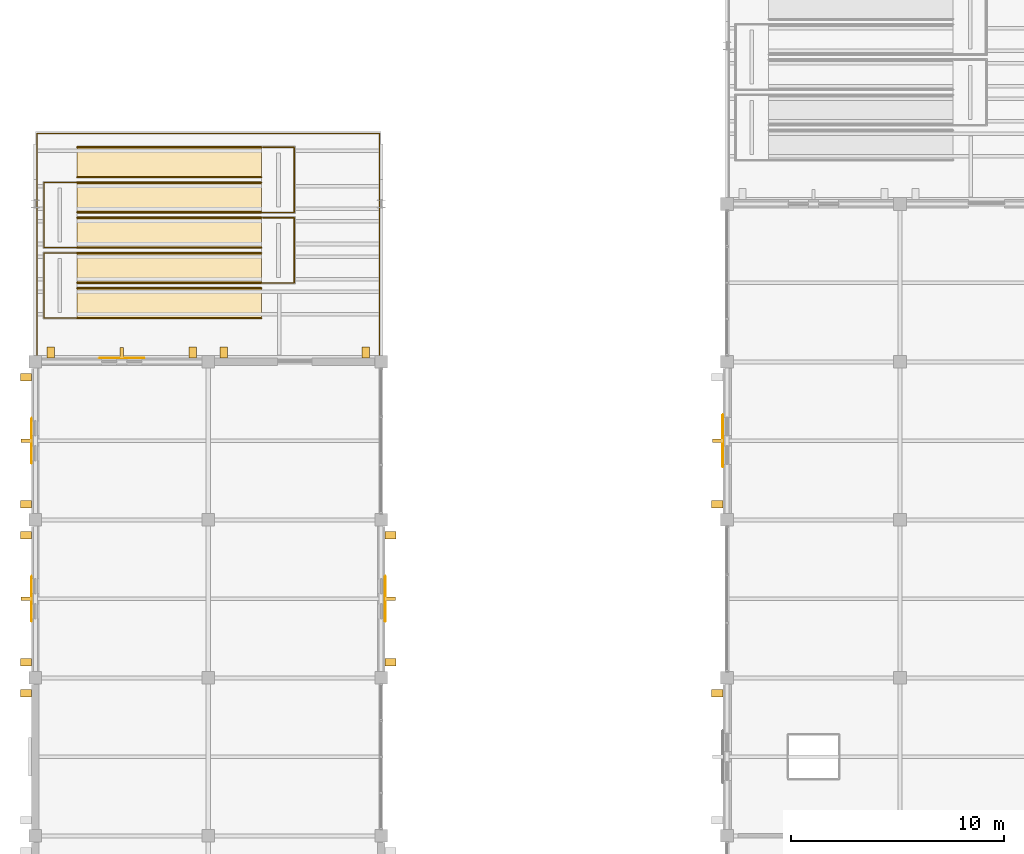
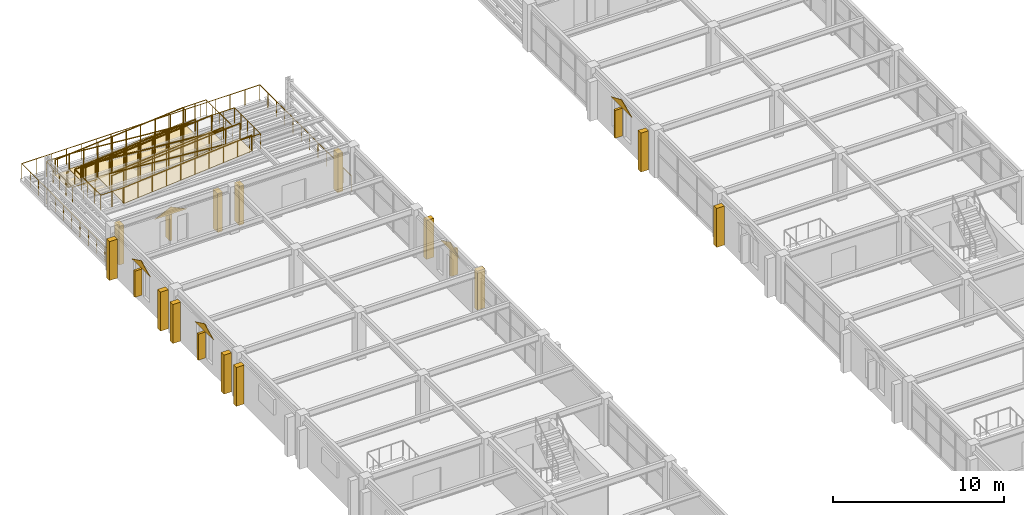
# One storey, part 116 of 121: 18 shading devices, 15 railings, 10 coverings.
"""IFC4 building model written with IfcOpenShell, lengths in metres."""

from ifc_helpers import new_model, si_unit, direction, frame, origin, origin_2d, place, context, subcontext, project, spatial, polyline, rectangle, circle, outline, extrude, material, layer, layer_set, type_object, element, save


model = new_model("IFC4")

# Units and contexts
model_context = context("Model", 3, precision=1e-05, world=origin(), true_north=direction((0.0, 1.0)))
body_context = subcontext(model_context, "Body", "Model", "MODEL_VIEW")
ifc_project = project(units=[si_unit("LENGTHUNIT", "METRE"), si_unit("AREAUNIT", "SQUARE_METRE"), si_unit("VOLUMEUNIT", "CUBIC_METRE"), si_unit("PLANEANGLEUNIT", "RADIAN"), si_unit("MASSUNIT", "GRAM", prefix="KILO")], contexts=[model_context])

# Site, building, storey
site_placement = place(None, origin())
site = spatial("IfcSite", under=ifc_project, at=site_placement, CompositionType="ELEMENT")
building_placement = place(site_placement, origin())
building = spatial("IfcBuilding", under=site, at=building_placement, Name="Cimatlan Art Gallery", CompositionType="ELEMENT")
storey_placement = place(building_placement, frame((0.0, 0.0, 10.199951171875)))
storey = spatial("IfcBuildingStorey", under=building, at=storey_placement, Name="L02", CompositionType="ELEMENT", Elevation=10.199951171875)

# Coverings
ifc_material_1 = material(Name="Queretaro cantera limestone ashlar hood-mould", Category="masonry")
ifc_layer = layer(ifc_material_1, 0.0419921875)
ifc_layer_set = layer_set([ifc_layer], Name="Queretaro cantera limestone ashlar hood-mould")
covering_type = type_object("IfcCoveringType", Name="COV-CLAD-CANTERA-42", PredefinedType="CLADDING", material=ifc_layer_set)
covering_1_placement = place(storey_placement, frame((1.839599609375, 70.919921875, 2.489990234375), z_axis=(1.0, 0.0, 0.0), x_axis=(0.0, 1.0, 0.0)))
element("IfcCovering", 1, at=covering_1_placement, inside=storey, type_object=covering_type, Name="CLD-041", PredefinedType="CLADDING", context=body_context, shape_type="SweptSolid", body=[
    extrude(outline(polyline([(0.0, 0.0), (2.16015625, 0.0), (1.080078125, 0.52001953125), (0.0, 0.0)])), origin(), (0.0, 0.0, -1.0), 0.0419921875),
])
covering_2_placement = place(storey_placement, frame((4.969970703125, 83.260498046875, 2.489990234375), z_axis=(0.0, -1.0, 0.0), x_axis=(1.0, 0.0, 0.0)))
element("IfcCovering", 2, at=covering_2_placement, inside=storey, type_object=covering_type, Name="CLD-042", PredefinedType="CLADDING", context=body_context, shape_type="SweptSolid", body=[
    extrude(outline(polyline([(0.0, 0.0), (2.159912109375, 0.0), (1.080078125, 0.52001953125), (0.0, 0.0)])), origin(), (0.0, 0.0, -1.0), 0.0419921875),
])
covering_3_placement = place(storey_placement, frame((1.839599609375, 78.320068359375, 2.489990234375), z_axis=(1.0, 0.0, 0.0), x_axis=(0.0, 1.0, 0.0)))
element("IfcCovering", 3, at=covering_3_placement, inside=storey, type_object=covering_type, Name="CLD-043", PredefinedType="CLADDING", context=body_context, shape_type="SweptSolid", body=[
    extrude(outline(polyline([(0.0, 0.0), (2.159912109375, 0.0), (1.079833984375, 0.52001953125), (0.0, 0.0)])), origin(), (0.0, 0.0, -1.0), 0.0419921875),
])
covering_4_placement = place(storey_placement, frame((18.360595703125, 73.080078125, 2.489990234375), z_axis=(-1.0, 0.0, 0.0), x_axis=(0.0, -1.0, 0.0)))
element("IfcCovering", 4, at=covering_4_placement, inside=storey, type_object=covering_type, Name="CLD-045", PredefinedType="CLADDING", context=body_context, shape_type="SweptSolid", body=[
    extrude(outline(polyline([(0.0, 0.0), (2.16015625, 0.0), (1.080078125, 0.52001953125), (0.0, 0.0)])), origin(), (0.0, 0.0, -1.0), 0.0419921875),
])
covering_5_placement = place(storey_placement, frame((34.221923828125, 78.159912109375, 2.6201171875), z_axis=(1.0, 0.0, 0.0), x_axis=(0.0, 1.0, 0.0)))
element("IfcCovering", 5, at=covering_5_placement, inside=storey, type_object=covering_type, Name="CLD-051", PredefinedType="CLADDING", context=body_context, shape_type="SweptSolid", body=[
    extrude(outline(polyline([(0.0, 0.0), (2.47998046875, 0.0), (1.239990234375, 0.52001953125), (0.0, 0.0)])), origin(), (0.0, 0.0, -1.0), 0.0419921875),
])
for number, where, z_axis, x_axis, name in (
    (6, (3.949951171875, 91.699951171875, 0.0), (-0.083040819057, 0.0, 0.996546146634), (0.996546146634, 0.0, 0.083040819057), "COV-RMP-TER-B1-FL1"),
    (7, (3.949951171875, 90.050048828125, 1.43994140625), (0.083040819057, 0.0, 0.996546146634), (0.996546146634, 0.0, -0.083040819057), "COV-RMP-TER-B1-FL2"),
):
    element("IfcCovering", number, at=place(storey_placement, frame(where, z_axis=z_axis, x_axis=x_axis)), inside=storey, type_object=covering_type, Name=name, PredefinedType="CLADDING", context=body_context, shape_type="SweptSolid", body=[
        extrude(outline(polyline([(0.0, 0.0), (8.670081910342619, 0.0), (8.670081910342619, 1.5), (0.0, 1.5), (0.0, 0.0)])), origin(), (0.0, 0.0, -1.0), 0.02490234375),
    ])
covering_6_placement = place(storey_placement, frame((3.949951171875, 88.39990234375, 1.43994140625), z_axis=(-0.083068783756, 0.0, 0.996543815979), x_axis=(0.996543815979, 0.0, 0.083068783756)))
element("IfcCovering", 8, at=covering_6_placement, inside=storey, type_object=covering_type, Name="COV-RMP-TER-B1-FL3", PredefinedType="CLADDING", context=body_context, shape_type="SweptSolid", body=[
    extrude(outline(polyline([(0.0, 0.0), (8.670102187393748, 0.0), (8.670102187393748, 1.5), (0.0, 1.5), (0.0, 0.0)])), origin(), (0.0, 0.0, -1.0), 0.02490234375),
])
for number, where, z_axis, x_axis, name in (
    (9, (3.949951171875, 86.75, 2.880126953125), (0.083040819057, 0.0, 0.996546146634), (0.996546146634, 0.0, -0.083040819057), "COV-RMP-TER-B1-FL4"),
    (10, (3.949951171875, 85.10009765625, 2.880126953125), (-0.083040819057, 0.0, 0.996546146634), (0.996546146634, 0.0, 0.083040819057), "COV-RMP-TER-B1-FL5"),
):
    element("IfcCovering", number, at=place(storey_placement, frame(where, z_axis=z_axis, x_axis=x_axis)), inside=storey, type_object=covering_type, Name=name, PredefinedType="CLADDING", context=body_context, shape_type="SweptSolid", body=[
        extrude(outline(polyline([(0.0, 0.0), (8.670081910342619, 0.0), (8.670081910342619, 1.5), (0.0, 1.5), (0.0, 0.0)])), origin(), (0.0, 0.0, -1.0), 0.02490234375),
    ])

# Railings
ifc_material_2 = material(Name="Anodised bronze and laminated glass balustrade", Category="glass")
railing_type = type_object("IfcRailingType", Name="RL-BAL-EXT-1100", PredefinedType="BALUSTRADE", material=ifc_material_2)
for number, where, name in (
    (11, (3.949951171875, 91.75, 0.0), "RMP-TER-B1-GR-F1S"),
    (12, (3.949951171875, 93.14990234375, 0.0), "RMP-TER-B1-GR-F1N"),
):
    element("IfcRailing", number, at=place(storey_placement, frame(where)), inside=storey, type_object=railing_type, Name=name, PredefinedType="BALUSTRADE", context=body_context, shape_type="SweptSolid", body=[
        extrude(circle(Radius=0.02587890625, at=origin_2d()), frame((0.0, 0.0, 1.09423828125), z_axis=(0.996546146634, 0.0, 0.083040819057), x_axis=(0.0, 1.0, 0.0)), (0.0, 0.0, 1.0), 8.670166015625),
        extrude(circle(Radius=0.02099609375, at=origin_2d()), origin(), (0.0, 0.0, 1.0), 1.068115234375),
        extrude(circle(Radius=0.02099609375, at=origin_2d()), frame((0.9599609375, 0.0, 0.080078125)), (0.0, 0.0, 1.0), 1.068115234375),
        extrude(circle(Radius=0.02099609375, at=origin_2d()), frame((1.919921875, 0.0, 0.159912109375)), (0.0, 0.0, 1.0), 1.068115234375),
        extrude(circle(Radius=0.02099609375, at=origin_2d()), frame((2.880126953125, 0.0, 0.239990234375)), (0.0, 0.0, 1.0), 1.068115234375),
        extrude(circle(Radius=0.02099609375, at=origin_2d()), frame((3.840087890625, 0.0, 0.320068359375)), (0.0, 0.0, 1.0), 1.068115234375),
        extrude(circle(Radius=0.02099609375, at=origin_2d()), frame((4.800048828125, 0.0, 0.39990234375)), (0.0, 0.0, 1.0), 1.068115234375),
        extrude(circle(Radius=0.02099609375, at=origin_2d()), frame((5.760009765625, 0.0, 0.47998046875)), (0.0, 0.0, 1.0), 1.068115234375),
        extrude(circle(Radius=0.02099609375, at=origin_2d()), frame((6.72021484375, 0.0, 0.56005859375)), (0.0, 0.0, 1.0), 1.068115234375),
        extrude(circle(Radius=0.02099609375, at=origin_2d()), frame((7.68017578125, 0.0, 0.639892578125)), (0.0, 0.0, 1.0), 1.068115234375),
        extrude(circle(Radius=0.02099609375, at=origin_2d()), frame((8.64013671875, 0.0, 0.719970703125)), (0.0, 0.0, 1.0), 1.068115234375),
    ])
railing_1_placement = place(storey_placement, frame((12.6298828125, 93.14990234375, 0.719970703125)))
element("IfcRailing", 13, at=railing_1_placement, inside=storey, type_object=railing_type, Name="RMP-TER-B1-GR-L1", PredefinedType="BALUSTRADE", context=body_context, shape_type="SweptSolid", body=[
    extrude(circle(Radius=0.02587890625, at=origin_2d()), frame((0.0, 0.0, 1.09423828125), z_axis=(1.0, 0.0, 0.0), x_axis=(0.0, 1.0, 0.0)), (0.0, 0.0, 1.0), 1.5),
    extrude(circle(Radius=0.02587890625, at=origin_2d()), frame((1.5, 0.0, 1.09423828125), z_axis=(0.0, -1.0, 0.0), x_axis=(1.0, 0.0, 0.0)), (0.0, 0.0, 1.0), 3.0498046875),
    extrude(circle(Radius=0.02587890625, at=origin_2d()), frame((1.5, -3.0498046875, 1.09423828125), z_axis=(-1.0, 0.0, 0.0), x_axis=(0.0, -1.0, 0.0)), (0.0, 0.0, 1.0), 1.5),
    extrude(circle(Radius=0.02099609375, at=origin_2d()), origin(), (0.0, 0.0, 1.0), 1.068115234375),
    extrude(circle(Radius=0.02099609375, at=origin_2d()), frame((0.75, 0.0, 0.0)), (0.0, 0.0, 1.0), 1.068115234375),
    extrude(circle(Radius=0.02099609375, at=origin_2d()), frame((1.5, 0.0, 0.0)), (0.0, 0.0, 1.0), 1.068115234375),
    extrude(circle(Radius=0.02099609375, at=origin_2d()), frame((1.5, -0.762451171875, 0.0)), (0.0, 0.0, 1.0), 1.068115234375),
    extrude(circle(Radius=0.02099609375, at=origin_2d()), frame((1.5, -1.52490234375, 0.0)), (0.0, 0.0, 1.0), 1.068115234375),
    extrude(circle(Radius=0.02099609375, at=origin_2d()), frame((1.5, -2.287353515625, 0.0)), (0.0, 0.0, 1.0), 1.068115234375),
    extrude(circle(Radius=0.02099609375, at=origin_2d()), frame((1.5, -3.0498046875, 0.0)), (0.0, 0.0, 1.0), 1.068115234375),
    extrude(circle(Radius=0.02099609375, at=origin_2d()), frame((0.75, -3.0498046875, 0.0)), (0.0, 0.0, 1.0), 1.068115234375),
    extrude(circle(Radius=0.02099609375, at=origin_2d()), frame((0.0, -3.0498046875, 0.0)), (0.0, 0.0, 1.0), 1.068115234375),
])
for number, where, name in (
    (14, (12.590087890625, 90.10009765625, 0.719970703125), "RMP-TER-B1-GR-F2S"),
    (15, (12.590087890625, 91.5, 0.719970703125), "RMP-TER-B1-GR-F2N"),
):
    element("IfcRailing", number, at=place(storey_placement, frame(where)), inside=storey, type_object=railing_type, Name=name, PredefinedType="BALUSTRADE", context=body_context, shape_type="SweptSolid", body=[
        extrude(circle(Radius=0.02587890625, at=origin_2d()), frame((0.0, 0.0, 1.09423828125), z_axis=(-0.996546146634, 0.0, 0.083040819057), x_axis=(0.0, -1.0, 0.0)), (0.0, 0.0, 1.0), 8.670166015625),
        extrude(circle(Radius=0.02099609375, at=origin_2d()), origin(), (0.0, 0.0, 1.0), 1.068115234375),
        extrude(circle(Radius=0.02099609375, at=origin_2d()), frame((-0.9599609375, 0.0, 0.080078125)), (0.0, 0.0, 1.0), 1.068115234375),
        extrude(circle(Radius=0.02099609375, at=origin_2d()), frame((-1.919921875, 0.0, 0.159912109375)), (0.0, 0.0, 1.0), 1.068115234375),
        extrude(circle(Radius=0.02099609375, at=origin_2d()), frame((-2.880126953125, 0.0, 0.239990234375)), (0.0, 0.0, 1.0), 1.068115234375),
        extrude(circle(Radius=0.02099609375, at=origin_2d()), frame((-3.840087890625, 0.0, 0.320068359375)), (0.0, 0.0, 1.0), 1.068115234375),
        extrude(circle(Radius=0.02099609375, at=origin_2d()), frame((-4.800048828125, 0.0, 0.39990234375)), (0.0, 0.0, 1.0), 1.068115234375),
        extrude(circle(Radius=0.02099609375, at=origin_2d()), frame((-5.760009765625, 0.0, 0.47998046875)), (0.0, 0.0, 1.0), 1.068115234375),
        extrude(circle(Radius=0.02099609375, at=origin_2d()), frame((-6.72021484375, 0.0, 0.56005859375)), (0.0, 0.0, 1.0), 1.068115234375),
        extrude(circle(Radius=0.02099609375, at=origin_2d()), frame((-7.68017578125, 0.0, 0.639892578125)), (0.0, 0.0, 1.0), 1.068115234375),
        extrude(circle(Radius=0.02099609375, at=origin_2d()), frame((-8.64013671875, 0.0, 0.719970703125)), (0.0, 0.0, 1.0), 1.068115234375),
    ])
railing_2_placement = place(storey_placement, frame((3.909912109375, 91.5, 1.43994140625)))
element("IfcRailing", 16, at=railing_2_placement, inside=storey, type_object=railing_type, Name="RMP-TER-B1-GR-L2", PredefinedType="BALUSTRADE", context=body_context, shape_type="SweptSolid", body=[
    extrude(circle(Radius=0.02587890625, at=origin_2d()), frame((0.0, 0.0, 1.09423828125), z_axis=(-1.0, 0.0, 0.0), x_axis=(0.0, -1.0, 0.0)), (0.0, 0.0, 1.0), 1.5),
    extrude(circle(Radius=0.02587890625, at=origin_2d()), frame((-1.5, 0.0, 1.09423828125), z_axis=(0.0, -1.0, 0.0), x_axis=(1.0, 0.0, 0.0)), (0.0, 0.0, 1.0), 3.050048828125),
    extrude(circle(Radius=0.02587890625, at=origin_2d()), frame((-1.5, -3.050048828125, 1.09423828125), z_axis=(1.0, 0.0, 0.0), x_axis=(0.0, 1.0, 0.0)), (0.0, 0.0, 1.0), 1.5),
    extrude(circle(Radius=0.02099609375, at=origin_2d()), origin(), (0.0, 0.0, 1.0), 1.068115234375),
    extrude(circle(Radius=0.02099609375, at=origin_2d()), frame((-0.75, 0.0, 0.0)), (0.0, 0.0, 1.0), 1.068115234375),
    extrude(circle(Radius=0.02099609375, at=origin_2d()), frame((-1.5, 0.0, 0.0)), (0.0, 0.0, 1.0), 1.068115234375),
    extrude(circle(Radius=0.02099609375, at=origin_2d()), frame((-1.5, -0.762451171875, 0.0)), (0.0, 0.0, 1.0), 1.068115234375),
    extrude(circle(Radius=0.02099609375, at=origin_2d()), frame((-1.5, -1.52490234375, 0.0)), (0.0, 0.0, 1.0), 1.068115234375),
    extrude(circle(Radius=0.02099609375, at=origin_2d()), frame((-1.5, -2.28759765625, 0.0)), (0.0, 0.0, 1.0), 1.068115234375),
    extrude(circle(Radius=0.02099609375, at=origin_2d()), frame((-1.5, -3.050048828125, 0.0)), (0.0, 0.0, 1.0), 1.068115234375),
    extrude(circle(Radius=0.02099609375, at=origin_2d()), frame((-0.75, -3.050048828125, 0.0)), (0.0, 0.0, 1.0), 1.068115234375),
    extrude(circle(Radius=0.02099609375, at=origin_2d()), frame((0.0, -3.050048828125, 0.0)), (0.0, 0.0, 1.0), 1.068115234375),
])
for number, where, name in (
    (17, (3.949951171875, 88.449951171875, 1.43994140625), "RMP-TER-B1-GR-F3S"),
    (18, (3.949951171875, 89.85009765625, 1.43994140625), "RMP-TER-B1-GR-F3N"),
):
    element("IfcRailing", number, at=place(storey_placement, frame(where)), inside=storey, type_object=railing_type, Name=name, PredefinedType="BALUSTRADE", context=body_context, shape_type="SweptSolid", body=[
        extrude(circle(Radius=0.02587890625, at=origin_2d()), frame((0.0, 0.0, 1.09423828125), z_axis=(0.996543815979, 0.0, 0.083068783756), x_axis=(0.0, 1.0, 0.0)), (0.0, 0.0, 1.0), 8.670166015625),
        extrude(circle(Radius=0.02099609375, at=origin_2d()), origin(), (0.0, 0.0, 1.0), 1.068115234375),
        extrude(circle(Radius=0.02099609375, at=origin_2d()), frame((0.9599609375, 0.0, 0.080078125)), (0.0, 0.0, 1.0), 1.068115234375),
        extrude(circle(Radius=0.02099609375, at=origin_2d()), frame((1.919921875, 0.0, 0.16015625)), (0.0, 0.0, 1.0), 1.068115234375),
        extrude(circle(Radius=0.02099609375, at=origin_2d()), frame((2.880126953125, 0.0, 0.239990234375)), (0.0, 0.0, 1.0), 1.068115234375),
        extrude(circle(Radius=0.02099609375, at=origin_2d()), frame((3.840087890625, 0.0, 0.320068359375)), (0.0, 0.0, 1.0), 1.068115234375),
        extrude(circle(Radius=0.02099609375, at=origin_2d()), frame((4.800048828125, 0.0, 0.400146484375)), (0.0, 0.0, 1.0), 1.068115234375),
        extrude(circle(Radius=0.02099609375, at=origin_2d()), frame((5.760009765625, 0.0, 0.480224609375)), (0.0, 0.0, 1.0), 1.068115234375),
        extrude(circle(Radius=0.02099609375, at=origin_2d()), frame((6.72021484375, 0.0, 0.56005859375)), (0.0, 0.0, 1.0), 1.068115234375),
        extrude(circle(Radius=0.02099609375, at=origin_2d()), frame((7.68017578125, 0.0, 0.64013671875)), (0.0, 0.0, 1.0), 1.068115234375),
        extrude(circle(Radius=0.02099609375, at=origin_2d()), frame((8.64013671875, 0.0, 0.72021484375)), (0.0, 0.0, 1.0), 1.068115234375),
    ])
railing_3_placement = place(storey_placement, frame((12.6298828125, 89.85009765625, 2.16015625)))
element("IfcRailing", 19, at=railing_3_placement, inside=storey, type_object=railing_type, Name="RMP-TER-B1-GR-L3", PredefinedType="BALUSTRADE", context=body_context, shape_type="SweptSolid", body=[
    extrude(circle(Radius=0.02587890625, at=origin_2d()), frame((0.0, 0.0, 1.09423828125), z_axis=(1.0, 0.0, 0.0), x_axis=(0.0, 1.0, 0.0)), (0.0, 0.0, 1.0), 1.5),
    extrude(circle(Radius=0.02587890625, at=origin_2d()), frame((1.5, 0.0, 1.09423828125), z_axis=(0.0, -1.0, 0.0), x_axis=(1.0, 0.0, 0.0)), (0.0, 0.0, 1.0), 3.050048828125),
    extrude(circle(Radius=0.02587890625, at=origin_2d()), frame((1.5, -3.050048828125, 1.09423828125), z_axis=(-1.0, 0.0, 0.0), x_axis=(0.0, -1.0, 0.0)), (0.0, 0.0, 1.0), 1.5),
    extrude(circle(Radius=0.02099609375, at=origin_2d()), origin(), (0.0, 0.0, 1.0), 1.068115234375),
    extrude(circle(Radius=0.02099609375, at=origin_2d()), frame((0.75, 0.0, 0.0)), (0.0, 0.0, 1.0), 1.068115234375),
    extrude(circle(Radius=0.02099609375, at=origin_2d()), frame((1.5, 0.0, 0.0)), (0.0, 0.0, 1.0), 1.068115234375),
    extrude(circle(Radius=0.02099609375, at=origin_2d()), frame((1.5, -0.762451171875, 0.0)), (0.0, 0.0, 1.0), 1.068115234375),
    extrude(circle(Radius=0.02099609375, at=origin_2d()), frame((1.5, -1.52490234375, 0.0)), (0.0, 0.0, 1.0), 1.068115234375),
    extrude(circle(Radius=0.02099609375, at=origin_2d()), frame((1.5, -2.28759765625, 0.0)), (0.0, 0.0, 1.0), 1.068115234375),
    extrude(circle(Radius=0.02099609375, at=origin_2d()), frame((1.5, -3.050048828125, 0.0)), (0.0, 0.0, 1.0), 1.068115234375),
    extrude(circle(Radius=0.02099609375, at=origin_2d()), frame((0.75, -3.050048828125, 0.0)), (0.0, 0.0, 1.0), 1.068115234375),
    extrude(circle(Radius=0.02099609375, at=origin_2d()), frame((0.0, -3.050048828125, 0.0)), (0.0, 0.0, 1.0), 1.068115234375),
])
for number, where, name in (
    (20, (12.590087890625, 86.800048828125, 2.16015625), "RMP-TER-B1-GR-F4S"),
    (21, (12.590087890625, 88.199951171875, 2.16015625), "RMP-TER-B1-GR-F4N"),
):
    element("IfcRailing", number, at=place(storey_placement, frame(where)), inside=storey, type_object=railing_type, Name=name, PredefinedType="BALUSTRADE", context=body_context, shape_type="SweptSolid", body=[
        extrude(circle(Radius=0.02587890625, at=origin_2d()), frame((0.0, 0.0, 1.09423828125), z_axis=(-0.996546146634, 0.0, 0.083040819057), x_axis=(0.0, -1.0, 0.0)), (0.0, 0.0, 1.0), 8.670166015625),
        extrude(circle(Radius=0.02099609375, at=origin_2d()), origin(), (0.0, 0.0, 1.0), 1.068115234375),
        extrude(circle(Radius=0.02099609375, at=origin_2d()), frame((-0.9599609375, 0.0, 0.080078125)), (0.0, 0.0, 1.0), 1.068115234375),
        extrude(circle(Radius=0.02099609375, at=origin_2d()), frame((-1.919921875, 0.0, 0.159912109375)), (0.0, 0.0, 1.0), 1.068115234375),
        extrude(circle(Radius=0.02099609375, at=origin_2d()), frame((-2.880126953125, 0.0, 0.239990234375)), (0.0, 0.0, 1.0), 1.068115234375),
        extrude(circle(Radius=0.02099609375, at=origin_2d()), frame((-3.840087890625, 0.0, 0.320068359375)), (0.0, 0.0, 1.0), 1.068115234375),
        extrude(circle(Radius=0.02099609375, at=origin_2d()), frame((-4.800048828125, 0.0, 0.39990234375)), (0.0, 0.0, 1.0), 1.068115234375),
        extrude(circle(Radius=0.02099609375, at=origin_2d()), frame((-5.760009765625, 0.0, 0.47998046875)), (0.0, 0.0, 1.0), 1.068115234375),
        extrude(circle(Radius=0.02099609375, at=origin_2d()), frame((-6.72021484375, 0.0, 0.56005859375)), (0.0, 0.0, 1.0), 1.068115234375),
        extrude(circle(Radius=0.02099609375, at=origin_2d()), frame((-7.68017578125, 0.0, 0.639892578125)), (0.0, 0.0, 1.0), 1.068115234375),
        extrude(circle(Radius=0.02099609375, at=origin_2d()), frame((-8.64013671875, 0.0, 0.719970703125)), (0.0, 0.0, 1.0), 1.068115234375),
    ])
railing_4_placement = place(storey_placement, frame((3.909912109375, 88.199951171875, 2.880126953125)))
element("IfcRailing", 22, at=railing_4_placement, inside=storey, type_object=railing_type, Name="RMP-TER-B1-GR-L4", PredefinedType="BALUSTRADE", context=body_context, shape_type="SweptSolid", body=[
    extrude(circle(Radius=0.02587890625, at=origin_2d()), frame((0.0, 0.0, 1.09423828125), z_axis=(-1.0, 0.0, 0.0), x_axis=(0.0, -1.0, 0.0)), (0.0, 0.0, 1.0), 1.5),
    extrude(circle(Radius=0.02587890625, at=origin_2d()), frame((-1.5, 0.0, 1.09423828125), z_axis=(0.0, -1.0, 0.0), x_axis=(1.0, 0.0, 0.0)), (0.0, 0.0, 1.0), 3.050048828125),
    extrude(circle(Radius=0.02587890625, at=origin_2d()), frame((-1.5, -3.050048828125, 1.09423828125), z_axis=(1.0, 0.0, 0.0), x_axis=(0.0, 1.0, 0.0)), (0.0, 0.0, 1.0), 1.5),
    extrude(circle(Radius=0.02099609375, at=origin_2d()), origin(), (0.0, 0.0, 1.0), 1.068115234375),
    extrude(circle(Radius=0.02099609375, at=origin_2d()), frame((-0.75, 0.0, 0.0)), (0.0, 0.0, 1.0), 1.068115234375),
    extrude(circle(Radius=0.02099609375, at=origin_2d()), frame((-1.5, 0.0, 0.0)), (0.0, 0.0, 1.0), 1.068115234375),
    extrude(circle(Radius=0.02099609375, at=origin_2d()), frame((-1.5, -0.762451171875, 0.0)), (0.0, 0.0, 1.0), 1.068115234375),
    extrude(circle(Radius=0.02099609375, at=origin_2d()), frame((-1.5, -1.52490234375, 0.0)), (0.0, 0.0, 1.0), 1.068115234375),
    extrude(circle(Radius=0.02099609375, at=origin_2d()), frame((-1.5, -2.28759765625, 0.0)), (0.0, 0.0, 1.0), 1.068115234375),
    extrude(circle(Radius=0.02099609375, at=origin_2d()), frame((-1.5, -3.050048828125, 0.0)), (0.0, 0.0, 1.0), 1.068115234375),
    extrude(circle(Radius=0.02099609375, at=origin_2d()), frame((-0.75, -3.050048828125, 0.0)), (0.0, 0.0, 1.0), 1.068115234375),
    extrude(circle(Radius=0.02099609375, at=origin_2d()), frame((0.0, -3.050048828125, 0.0)), (0.0, 0.0, 1.0), 1.068115234375),
])
for number, where, name in (
    (23, (3.949951171875, 85.14990234375, 2.880126953125), "RMP-TER-B1-GR-F5S"),
    (24, (3.949951171875, 86.550048828125, 2.880126953125), "RMP-TER-B1-GR-F5N"),
):
    element("IfcRailing", number, at=place(storey_placement, frame(where)), inside=storey, type_object=railing_type, Name=name, PredefinedType="BALUSTRADE", context=body_context, shape_type="SweptSolid", body=[
        extrude(circle(Radius=0.02587890625, at=origin_2d()), frame((0.0, 0.0, 1.09423828125), z_axis=(0.996546146634, 0.0, 0.083040819057), x_axis=(0.0, 1.0, 0.0)), (0.0, 0.0, 1.0), 8.670166015625),
        extrude(circle(Radius=0.02099609375, at=origin_2d()), origin(), (0.0, 0.0, 1.0), 1.068115234375),
        extrude(circle(Radius=0.02099609375, at=origin_2d()), frame((0.9599609375, 0.0, 0.080078125)), (0.0, 0.0, 1.0), 1.068115234375),
        extrude(circle(Radius=0.02099609375, at=origin_2d()), frame((1.919921875, 0.0, 0.159912109375)), (0.0, 0.0, 1.0), 1.068115234375),
        extrude(circle(Radius=0.02099609375, at=origin_2d()), frame((2.880126953125, 0.0, 0.239990234375)), (0.0, 0.0, 1.0), 1.068115234375),
        extrude(circle(Radius=0.02099609375, at=origin_2d()), frame((3.840087890625, 0.0, 0.320068359375)), (0.0, 0.0, 1.0), 1.068115234375),
        extrude(circle(Radius=0.02099609375, at=origin_2d()), frame((4.800048828125, 0.0, 0.39990234375)), (0.0, 0.0, 1.0), 1.068115234375),
        extrude(circle(Radius=0.02099609375, at=origin_2d()), frame((5.760009765625, 0.0, 0.47998046875)), (0.0, 0.0, 1.0), 1.068115234375),
        extrude(circle(Radius=0.02099609375, at=origin_2d()), frame((6.72021484375, 0.0, 0.56005859375)), (0.0, 0.0, 1.0), 1.068115234375),
        extrude(circle(Radius=0.02099609375, at=origin_2d()), frame((7.68017578125, 0.0, 0.639892578125)), (0.0, 0.0, 1.0), 1.068115234375),
        extrude(circle(Radius=0.02099609375, at=origin_2d()), frame((8.64013671875, 0.0, 0.719970703125)), (0.0, 0.0, 1.0), 1.068115234375),
    ])
railing_5_placement = place(storey_placement, frame((2.080078125, 83.1201171875, 0.0)))
element("IfcRailing", 25, at=railing_5_placement, inside=storey, type_object=railing_type, Name="GR-TER-01", PredefinedType="BALUSTRADE", context=body_context, shape_type="SweptSolid", body=[
    extrude(circle(Radius=0.02587890625, at=origin_2d()), frame((0.0, 0.0, 1.09423828125), z_axis=(0.0, 1.0, 0.0), x_axis=(-1.0, 0.0, 0.0)), (0.0, 0.0, 1.0), 10.681884765625),
    extrude(circle(Radius=0.02587890625, at=origin_2d()), frame((0.0, 10.681884765625, 1.09423828125), z_axis=(1.0, 0.0, 0.0), x_axis=(0.0, 1.0, 0.0)), (0.0, 0.0, 1.0), 16.0400390625),
    extrude(circle(Radius=0.02587890625, at=origin_2d()), frame((16.0400390625, 10.681884765625, 1.09423828125), z_axis=(0.0, -1.0, 0.0), x_axis=(1.0, 0.0, 0.0)), (0.0, 0.0, 1.0), 10.681884765625),
    extrude(circle(Radius=0.02099609375, at=origin_2d()), origin(), (0.0, 0.0, 1.0), 1.068115234375),
    extrude(circle(Radius=0.02099609375, at=origin_2d()), frame((0.0, 0.97119140625, 0.0)), (0.0, 0.0, 1.0), 1.068115234375),
    extrude(circle(Radius=0.02099609375, at=origin_2d()), frame((0.0, 1.942138671875, 0.0)), (0.0, 0.0, 1.0), 1.068115234375),
    extrude(circle(Radius=0.02099609375, at=origin_2d()), frame((0.0, 2.913330078125, 0.0)), (0.0, 0.0, 1.0), 1.068115234375),
    extrude(circle(Radius=0.02099609375, at=origin_2d()), frame((0.0, 3.88427734375, 0.0)), (0.0, 0.0, 1.0), 1.068115234375),
    extrude(circle(Radius=0.02099609375, at=origin_2d()), frame((0.0, 4.85546875, 0.0)), (0.0, 0.0, 1.0), 1.068115234375),
    extrude(circle(Radius=0.02099609375, at=origin_2d()), frame((0.0, 5.826416015625, 0.0)), (0.0, 0.0, 1.0), 1.068115234375),
    extrude(circle(Radius=0.02099609375, at=origin_2d()), frame((0.0, 6.797607421875, 0.0)), (0.0, 0.0, 1.0), 1.068115234375),
    extrude(circle(Radius=0.02099609375, at=origin_2d()), frame((0.0, 7.7685546875, 0.0)), (0.0, 0.0, 1.0), 1.068115234375),
    extrude(circle(Radius=0.02099609375, at=origin_2d()), frame((0.0, 8.73974609375, 0.0)), (0.0, 0.0, 1.0), 1.068115234375),
    extrude(circle(Radius=0.02099609375, at=origin_2d()), frame((0.0, 9.710693359375, 0.0)), (0.0, 0.0, 1.0), 1.068115234375),
    extrude(circle(Radius=0.02099609375, at=origin_2d()), frame((0.0, 10.681884765625, 0.0)), (0.0, 0.0, 1.0), 1.068115234375),
    extrude(circle(Radius=0.02099609375, at=origin_2d()), frame((1.00244140625, 10.681884765625, 0.0)), (0.0, 0.0, 1.0), 1.068115234375),
    extrude(circle(Radius=0.02099609375, at=origin_2d()), frame((2.0048828125, 10.681884765625, 0.0)), (0.0, 0.0, 1.0), 1.068115234375),
    extrude(circle(Radius=0.02099609375, at=origin_2d()), frame((3.007568359375, 10.681884765625, 0.0)), (0.0, 0.0, 1.0), 1.068115234375),
    extrude(circle(Radius=0.02099609375, at=origin_2d()), frame((4.010009765625, 10.681884765625, 0.0)), (0.0, 0.0, 1.0), 1.068115234375),
    extrude(circle(Radius=0.02099609375, at=origin_2d()), frame((5.012451171875, 10.681884765625, 0.0)), (0.0, 0.0, 1.0), 1.068115234375),
    extrude(circle(Radius=0.02099609375, at=origin_2d()), frame((6.01513671875, 10.681884765625, 0.0)), (0.0, 0.0, 1.0), 1.068115234375),
    extrude(circle(Radius=0.02099609375, at=origin_2d()), frame((7.017578125, 10.681884765625, 0.0)), (0.0, 0.0, 1.0), 1.068115234375),
    extrude(circle(Radius=0.02099609375, at=origin_2d()), frame((8.02001953125, 10.681884765625, 0.0)), (0.0, 0.0, 1.0), 1.068115234375),
    extrude(circle(Radius=0.02099609375, at=origin_2d()), frame((9.0224609375, 10.681884765625, 0.0)), (0.0, 0.0, 1.0), 1.068115234375),
    extrude(circle(Radius=0.02099609375, at=origin_2d()), frame((10.02490234375, 10.681884765625, 0.0)), (0.0, 0.0, 1.0), 1.068115234375),
    extrude(circle(Radius=0.02099609375, at=origin_2d()), frame((11.027587890625, 10.681884765625, 0.0)), (0.0, 0.0, 1.0), 1.068115234375),
    extrude(circle(Radius=0.02099609375, at=origin_2d()), frame((12.030029296875, 10.681884765625, 0.0)), (0.0, 0.0, 1.0), 1.068115234375),
    extrude(circle(Radius=0.02099609375, at=origin_2d()), frame((13.032470703125, 10.681884765625, 0.0)), (0.0, 0.0, 1.0), 1.068115234375),
    extrude(circle(Radius=0.02099609375, at=origin_2d()), frame((14.03515625, 10.681884765625, 0.0)), (0.0, 0.0, 1.0), 1.068115234375),
    extrude(circle(Radius=0.02099609375, at=origin_2d()), frame((15.03759765625, 10.681884765625, 0.0)), (0.0, 0.0, 1.0), 1.068115234375),
    extrude(circle(Radius=0.02099609375, at=origin_2d()), frame((16.0400390625, 10.681884765625, 0.0)), (0.0, 0.0, 1.0), 1.068115234375),
    extrude(circle(Radius=0.02099609375, at=origin_2d()), frame((16.0400390625, 9.710693359375, 0.0)), (0.0, 0.0, 1.0), 1.068115234375),
    extrude(circle(Radius=0.02099609375, at=origin_2d()), frame((16.0400390625, 8.73974609375, 0.0)), (0.0, 0.0, 1.0), 1.068115234375),
    extrude(circle(Radius=0.02099609375, at=origin_2d()), frame((16.0400390625, 7.7685546875, 0.0)), (0.0, 0.0, 1.0), 1.068115234375),
    extrude(circle(Radius=0.02099609375, at=origin_2d()), frame((16.0400390625, 6.797607421875, 0.0)), (0.0, 0.0, 1.0), 1.068115234375),
    extrude(circle(Radius=0.02099609375, at=origin_2d()), frame((16.0400390625, 5.826416015625, 0.0)), (0.0, 0.0, 1.0), 1.068115234375),
    extrude(circle(Radius=0.02099609375, at=origin_2d()), frame((16.0400390625, 4.85546875, 0.0)), (0.0, 0.0, 1.0), 1.068115234375),
    extrude(circle(Radius=0.02099609375, at=origin_2d()), frame((16.0400390625, 3.88427734375, 0.0)), (0.0, 0.0, 1.0), 1.068115234375),
    extrude(circle(Radius=0.02099609375, at=origin_2d()), frame((16.0400390625, 2.913330078125, 0.0)), (0.0, 0.0, 1.0), 1.068115234375),
    extrude(circle(Radius=0.02099609375, at=origin_2d()), frame((16.0400390625, 1.942138671875, 0.0)), (0.0, 0.0, 1.0), 1.068115234375),
    extrude(circle(Radius=0.02099609375, at=origin_2d()), frame((16.0400390625, 0.97119140625, 0.0)), (0.0, 0.0, 1.0), 1.068115234375),
    extrude(circle(Radius=0.02099609375, at=origin_2d()), frame((16.0400390625, 0.0, 0.0)), (0.0, 0.0, 1.0), 1.068115234375),
])

# Shading devices
ifc_material_3 = material(Name="Queretaro cantera limestone buttress pilaster", Category="masonry")
shading_device_type_1 = type_object("IfcShadingDeviceType", Name="SHD-BUT-520", PredefinedType="USERDEFINED", material=ifc_material_3)
for number, where, z_axis, x_axis, name in (
    (26, (1.5595703125, 67.575927734375, 0.06005859375), (0.0, 0.0, 1.0), (0.0, 1.0, 0.0), "BUT-0228"),
    (27, (1.5595703125, 69.02392578125, 0.06005859375), (0.0, 0.0, 1.0), (0.0, 1.0, 0.0), "BUT-0229"),
    (28, (1.5595703125, 74.97607421875, 0.06005859375), (0.0, 0.0, 1.0), (0.0, 1.0, 0.0), "BUT-0230"),
    (29, (2.72412109375, 83.54052734375, 0.06005859375), (0.0, 0.0, 1.0), (1.0, 0.0, 0.0), "BUT-0231"),
    (30, (9.3759765625, 83.54052734375, 0.06005859375), (0.0, 0.0, 1.0), (1.0, 0.0, 0.0), "BUT-0232"),
    (31, (1.5595703125, 76.424072265625, 0.06005859375), (0.0, 0.0, 1.0), (0.0, 1.0, 0.0), "BUT-0233"),
    (32, (1.5595703125, 82.3759765625, 0.06005859375), (0.0, 0.0, 1.0), (0.0, 1.0, 0.0), "BUT-0234"),
    (33, (18.640380859375, 74.97607421875, 0.06005859375), (0.0, 0.0, 1.0), (0.0, -1.0, 0.0), "BUT-0245"),
    (34, (18.640380859375, 69.02392578125, 0.06005859375), (0.0, 0.0, 1.0), (0.0, -1.0, 0.0), "BUT-0246"),
    (35, (10.823974609375, 83.54052734375, 0.06005859375), (0.0, 0.0, 1.0), (1.0, 0.0, 0.0), "BUT-0247"),
    (36, (17.47607421875, 83.54052734375, 0.06005859375), (0.0, 0.0, 1.0), (1.0, 0.0, 0.0), "BUT-0248"),
    (37, (33.94189453125, 67.575927734375, 0.06005859375), (0.0, 0.0, 1.0), (0.0, 1.0, 0.0), "BUT-0258"),
    (38, (33.94189453125, 76.424072265625, 0.06005859375), (0.0, 0.0, 1.0), (0.0, 1.0, 0.0), "BUT-0259"),
):
    element("IfcShadingDevice", number, at=place(storey_placement, frame(where, z_axis=z_axis, x_axis=x_axis)), inside=storey, type_object=shading_device_type_1, Name=name, ObjectType="FIN", PredefinedType="USERDEFINED", context=body_context, shape_type="SweptSolid", body=[
        extrude(rectangle(XDim=0.340087890625, YDim=0.52001953125, at=origin_2d()), origin(), (0.0, 0.0, 1.0), 2.778076171875),
    ])
ifc_material_4 = material(Name="Queretaro cantera limestone lancet mullion fin", Category="masonry")
shading_device_type_2 = type_object("IfcShadingDeviceType", Name="SHD-FIN-480", PredefinedType="USERDEFINED", material=ifc_material_4)
for number, where, z_axis, x_axis, name in (
    (39, (1.57958984375, 72.0, 0.60009765625), (0.0, 0.0, 1.0), (0.0, 1.0, 0.0), "FIN-063"),
    (40, (6.050048828125, 83.5205078125, 0.60009765625), (0.0, 0.0, 1.0), (1.0, 0.0, 0.0), "FIN-064"),
    (41, (1.57958984375, 79.39990234375, 0.60009765625), (0.0, 0.0, 1.0), (0.0, 1.0, 0.0), "FIN-065"),
    (42, (18.62060546875, 72.0, 0.60009765625), (0.0, 0.0, 1.0), (0.0, -1.0, 0.0), "FIN-067"),
):
    element("IfcShadingDevice", number, at=place(storey_placement, frame(where, z_axis=z_axis, x_axis=x_axis)), inside=storey, type_object=shading_device_type_2, Name=name, ObjectType="FIN", PredefinedType="USERDEFINED", context=body_context, shape_type="SweptSolid", body=[
        extrude(rectangle(XDim=0.159912109375, YDim=0.47998046875, at=origin_2d()), origin(), (0.0, 0.0, 1.0), 1.860107421875),
    ])
shading_device_placement = place(storey_placement, frame((33.9619140625, 79.39990234375, 0.60009765625), z_axis=(0.0, 0.0, 1.0), x_axis=(0.0, 1.0, 0.0)))
element("IfcShadingDevice", 43, at=shading_device_placement, inside=storey, type_object=shading_device_type_2, Name="FIN-073", ObjectType="FIN", PredefinedType="USERDEFINED", context=body_context, shape_type="SweptSolid", body=[
    extrude(rectangle(XDim=0.159912109375, YDim=0.47998046875, at=origin_2d()), origin(), (0.0, 0.0, 1.0), 1.989990234375),
])

save(model, "model.ifc")
